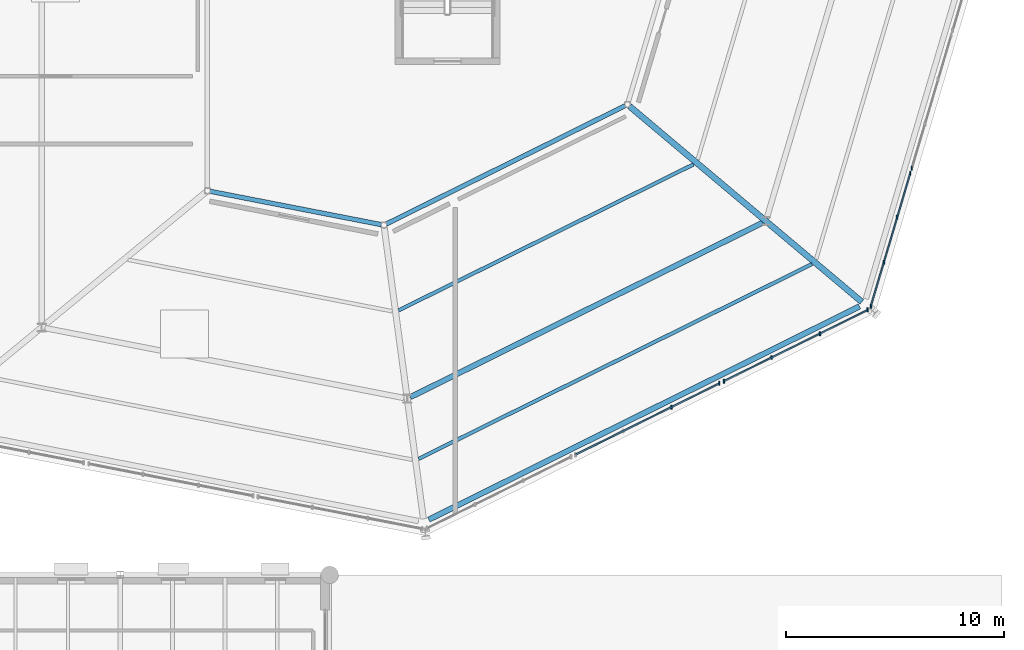
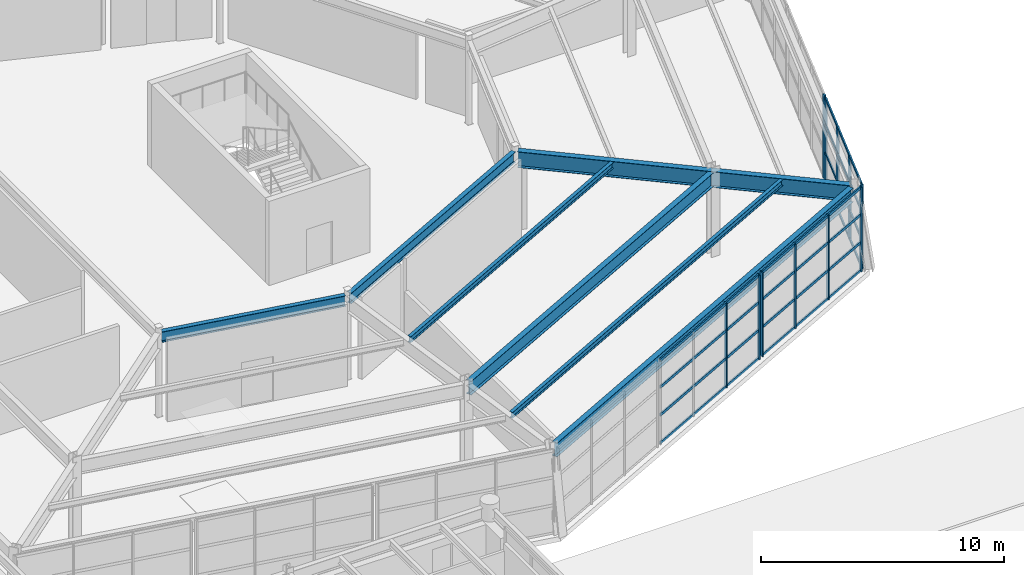
# One storey, part 41 of 77: 23 members, 7 beams, 4 elements without a shape of their own.
"""IFC4 building model written with IfcOpenShell, lengths in metres."""

from ifc_helpers import new_model, si_unit, direction, frame, origin, origin_2d, place, context, subcontext, project, spatial, rectangle, i_section, extrude, material, material_profile, profile_set, type_object, element, aggregate, save


model = new_model("IFC4")

# Units and contexts
model_context = context("Model", 3, precision=1e-05, world=origin(), true_north=direction((0.0, 1.0)))
body_context = subcontext(model_context, "Body", "Model", "MODEL_VIEW")
ifc_project = project(units=[si_unit("LENGTHUNIT", "METRE"), si_unit("AREAUNIT", "SQUARE_METRE"), si_unit("VOLUMEUNIT", "CUBIC_METRE"), si_unit("PLANEANGLEUNIT", "RADIAN"), si_unit("MASSUNIT", "GRAM", prefix="KILO")], contexts=[model_context])

# Site, building, storey
site_placement = place(None, origin())
site = spatial("IfcSite", under=ifc_project, at=site_placement, CompositionType="ELEMENT")
building_placement = place(site_placement, origin())
building = spatial("IfcBuilding", under=site, at=building_placement, Name="Sarnbrook Museum", CompositionType="ELEMENT")
storey_placement = place(building_placement, frame((0.0, 0.0, 5.60009765625)))
storey = spatial("IfcBuildingStorey", under=building, at=storey_placement, Name="L01", CompositionType="ELEMENT", Elevation=5.60009765625)

# Beams
ifc_material_1 = material(Name="Structural Steel Grade 300PLUS (AS/NZS 3679.1, fy = 280 MPa for 17 < t <= 40 mm, 300 MPa for t <= 17 mm)", Category="steel")
ifc_material_profile_1 = material_profile(ifc_material_1, i_section(OverallWidth=0.208984375, OverallDepth=0.532958984375, WebThickness=0.01025390625, FlangeThickness=0.015625, FilletRadius=0.013916015625, at=origin_2d()), Name="530UB92.4")
ifc_profile_set_1 = profile_set([ifc_material_profile_1], Name="Structural Steel Grade 300PLUS (AS/NZS 3679.1, fy = 280 MPa for 17 < t <= 40 mm, 300 MPa for t <= 17 mm)")
beam_type_1 = type_object("IfcBeamType", Name="BM-UB530", PredefinedType="BEAM", material=ifc_profile_set_1)
beam_1_placement = place(storey_placement, frame((132.917724609375, 74.382080078125, 3.973388671875), z_axis=(0.981531426605, -0.191300963369, 0.0), x_axis=(0.191300963369, 0.981531426605, 0.0)))
element("IfcBeam", 1, at=beam_1_placement, inside=storey, type_object=beam_type_1, Name="Crystal Hall R2 Ring Girder 1 L01", PredefinedType="BEAM", context=body_context, shape_type="SweptSolid", body=[
    extrude(i_section(OverallWidth=0.208984375, OverallDepth=0.532958984375, WebThickness=0.01025390625, FlangeThickness=0.015625, FilletRadius=0.013916015625, at=origin_2d()), origin(), (0.0, 0.0, 1.0), 7.999267578125),
])
beam_2_placement = place(storey_placement, frame((140.99462890625, 72.882080078125, 3.973388671875), z_axis=(0.896163006555, 0.443724988796, 0.0), x_axis=(-0.443724988796, 0.896163006555, 0.0)))
element("IfcBeam", 2, at=beam_2_placement, inside=storey, type_object=beam_type_1, Name="Crystal Hall R2 Ring Girder 2 L01", PredefinedType="BEAM", context=body_context, shape_type="SweptSolid", body=[
    extrude(i_section(OverallWidth=0.208984375, OverallDepth=0.532958984375, WebThickness=0.01025390625, FlangeThickness=0.015625, FilletRadius=0.013916015625, at=origin_2d()), origin(), (0.0, 0.0, 1.0), 12.216796875),
])
ifc_material_2 = material(Name="Structural Steel Grade 350L0 (AS/NZS 3678, fy = 340 MPa for 20 < t <= 40 mm)", Category="steel")
ifc_material_profile_2 = material_profile(ifc_material_2, i_section(OverallWidth=0.25, OverallDepth=0.699951171875, WebThickness=0.010009765625, FlangeThickness=0.01611328125, at=origin_2d()), Name="700WB130")
ifc_profile_set_2 = profile_set([ifc_material_profile_2], Name="Structural Steel Grade 350L0 (AS/NZS 3678, fy = 340 MPa for 20 < t <= 40 mm)")
beam_type_2 = type_object("IfcBeamType", Name="BM-WB700", PredefinedType="BEAM", material=ifc_profile_set_2)
beam_3_placement = place(storey_placement, frame((142.940673828125, 59.330810546875, 3.889892578125), z_axis=(0.896160452112, 0.443730147803, 0.0), x_axis=(-0.443730147803, 0.896160452112, 0.0)))
element("IfcBeam", 3, at=beam_3_placement, inside=storey, type_object=beam_type_2, Name="Crystal Hall Perimeter Ring Girder 2 L01", PredefinedType="BEAM", context=body_context, shape_type="SweptSolid", body=[
    extrude(i_section(OverallWidth=0.25, OverallDepth=0.699951171875, WebThickness=0.010009765625, FlangeThickness=0.01611328125, at=origin_2d()), origin(), (0.0, 0.0, 1.0), 22.0283203125),
])
beam_4_placement = place(storey_placement, frame((142.099609375, 64.948486328125, 3.889892578125), z_axis=(0.8961652972, 0.443720362497, 0.0), x_axis=(-0.443720362497, 0.8961652972, 0.0)))
element("IfcBeam", 4, at=beam_4_placement, inside=storey, type_object=beam_type_2, Name="Crystal Hall R1 Ring Girder 2 L01", PredefinedType="BEAM", context=body_context, shape_type="SweptSolid", body=[
    extrude(i_section(OverallWidth=0.25, OverallDepth=0.699951171875, WebThickness=0.010009765625, FlangeThickness=0.01611328125, at=origin_2d()), origin(), (0.0, 0.0, 1.0), 18.021240234375),
])
ifc_material_profile_3 = material_profile(ifc_material_2, i_section(OverallWidth=0.27490234375, OverallDepth=0.800048828125, WebThickness=0.010009765625, FlangeThickness=0.01611328125, at=origin_2d()), Name="800WB146")
ifc_profile_set_3 = profile_set([ifc_material_profile_3], Name="Structural Steel Grade 350L0 (AS/NZS 3678, fy = 340 MPa for 20 < t <= 40 mm)")
beam_type_3 = type_object("IfcBeamType", Name="CR-CANT", PredefinedType="BEAM", material=ifc_profile_set_3)
beam_5_placement = place(storey_placement, frame((152.14208984375, 78.27880859375, 3.83984375), z_axis=(0.764971227526, -0.644064454117, 0.0), x_axis=(0.644064454117, 0.764971227526, 0.0)))
element("IfcBeam", 5, at=beam_5_placement, inside=storey, type_object=beam_type_3, Name="Crystal Hall Radial Cantilever Girder 3 L01", PredefinedType="BEAM", context=body_context, shape_type="SweptSolid", body=[
    extrude(i_section(OverallWidth=0.27490234375, OverallDepth=0.800048828125, WebThickness=0.010009765625, FlangeThickness=0.01611328125, at=origin_2d()), origin(), (0.0, 0.0, 1.0), 13.920654296875),
])

# Curtain wall, members
ifc_material_3 = material(Name="Thermally Broken Anodised Aluminium 6063-T6", Category="aluminium")
curtain_wall_type = type_object("IfcCurtainWallType", Name="CurtainWall_CrystalFacet", PredefinedType="NOTDEFINED", material=ifc_material_3)
curtain_wall_1_placement = place(storey_placement, origin())
curtain_wall_1 = element("IfcCurtainWall", 6, at=curtain_wall_1_placement, inside=storey, type_object=curtain_wall_type, Name="Crystal Hall Facet Curtain Wall L01-F2.2", PredefinedType="NOTDEFINED")
ifc_material_profile_4 = material_profile(ifc_material_3, rectangle(XDim=0.06494140625, YDim=0.179931640625, at=origin_2d()), Name="ALU MULLION 65x180")
ifc_profile_set_4 = profile_set([ifc_material_profile_4], Name="Thermally Broken Anodised Aluminium 6063-T6")
member_type_1 = type_object("IfcMemberType", Name="CW_Mullion_180x75", PredefinedType="MULLION", material=ifc_profile_set_4)
member_1_placement = place(storey_placement, frame((154.07373046875, 64.49365234375, 0.0), z_axis=(0.0, 0.0, 1.0), x_axis=(1.0, 0.0, 0.0)))
member_1 = element("IfcMember", 7, at=member_1_placement, type_object=member_type_1, Name="Crystal Hall Facet Curtain Wall L01-F2.2 Mullion 3", PredefinedType="MULLION", context=body_context, shape_type="SweptSolid", body=[
    extrude(rectangle(XDim=0.06494140625, YDim=0.179931640625, at=origin_2d()), origin(), (0.0, 0.0, 1.0), 4.239990234375),
])
member_2_placement = place(storey_placement, frame((156.25732421875, 65.57470703125, 0.0), z_axis=(0.0, 0.0, 1.0), x_axis=(1.0, 0.0, 0.0)))
member_2 = element("IfcMember", 8, at=member_2_placement, type_object=member_type_1, Name="Crystal Hall Facet Curtain Wall L01-F2.2 Mullion 4", PredefinedType="MULLION", context=body_context, shape_type="SweptSolid", body=[
    extrude(rectangle(XDim=0.06494140625, YDim=0.179931640625, at=origin_2d()), origin(), (0.0, 0.0, 1.0), 4.239990234375),
])

curtain_wall_2_placement = place(storey_placement, origin())
curtain_wall_2 = element("IfcCurtainWall", 9, at=curtain_wall_2_placement, inside=storey, type_object=curtain_wall_type, Name="Crystal Hall Facet Curtain Wall L01-F2.3", PredefinedType="NOTDEFINED")
member_3_placement = place(storey_placement, frame((156.472412109375, 65.681396484375, 0.0), z_axis=(0.0, 0.0, 1.0), x_axis=(1.0, 0.0, 0.0)))
member_3 = element("IfcMember", 10, at=member_3_placement, type_object=member_type_1, Name="Crystal Hall Facet Curtain Wall L01-F2.3 Mullion 1", PredefinedType="MULLION", context=body_context, shape_type="SweptSolid", body=[
    extrude(rectangle(XDim=0.06494140625, YDim=0.179931640625, at=origin_2d()), origin(), (0.0, 0.0, 1.0), 4.239990234375),
])
member_4_placement = place(storey_placement, frame((158.65625, 66.7626953125, 0.0), z_axis=(0.0, 0.0, 1.0), x_axis=(1.0, 0.0, 0.0)))
member_4 = element("IfcMember", 11, at=member_4_placement, type_object=member_type_1, Name="Crystal Hall Facet Curtain Wall L01-F2.3 Mullion 2", PredefinedType="MULLION", context=body_context, shape_type="SweptSolid", body=[
    extrude(rectangle(XDim=0.06494140625, YDim=0.179931640625, at=origin_2d()), origin(), (0.0, 0.0, 1.0), 4.239990234375),
])
member_5_placement = place(storey_placement, frame((160.875732421875, 67.861572265625, 0.0), z_axis=(0.0, 0.0, 1.0), x_axis=(1.0, 0.0, 0.0)))
member_5 = element("IfcMember", 12, at=member_5_placement, type_object=member_type_1, Name="Crystal Hall Facet Curtain Wall L01-F2.3 Mullion 3", PredefinedType="MULLION", context=body_context, shape_type="SweptSolid", body=[
    extrude(rectangle(XDim=0.06494140625, YDim=0.179931640625, at=origin_2d()), origin(), (0.0, 0.0, 1.0), 4.239990234375),
])
member_6_placement = place(storey_placement, frame((163.0595703125, 68.94287109375, 0.0), z_axis=(0.0, 0.0, 1.0), x_axis=(1.0, 0.0, 0.0)))
member_6 = element("IfcMember", 13, at=member_6_placement, type_object=member_type_1, Name="Crystal Hall Facet Curtain Wall L01-F2.3 Mullion 4", PredefinedType="MULLION", context=body_context, shape_type="SweptSolid", body=[
    extrude(rectangle(XDim=0.06494140625, YDim=0.179931640625, at=origin_2d()), origin(), (0.0, 0.0, 1.0), 4.239990234375),
])

curtain_wall_3_placement = place(storey_placement, origin())
curtain_wall_3 = element("IfcCurtainWall", 14, at=curtain_wall_3_placement, inside=storey, type_object=curtain_wall_type, Name="Crystal Hall Facet Curtain Wall L01-F3.1", PredefinedType="NOTDEFINED")
member_7_placement = place(storey_placement, frame((163.201416015625, 69.111083984375, 0.0), z_axis=(0.0, 0.0, 1.0), x_axis=(1.0, 0.0, 0.0)))
member_7 = element("IfcMember", 15, at=member_7_placement, type_object=member_type_1, Name="Crystal Hall Facet Curtain Wall L01-F3.1 Mullion 1", PredefinedType="MULLION", context=body_context, shape_type="SweptSolid", body=[
    extrude(rectangle(XDim=0.06494140625, YDim=0.179931640625, at=origin_2d()), origin(), (0.0, 0.0, 1.0), 4.239990234375),
])
member_8_placement = place(storey_placement, frame((163.80029296875, 71.129150390625, 0.0), z_axis=(0.0, 0.0, 1.0), x_axis=(1.0, 0.0, 0.0)))
member_8 = element("IfcMember", 16, at=member_8_placement, type_object=member_type_1, Name="Crystal Hall Facet Curtain Wall L01-F3.1 Mullion 2", PredefinedType="MULLION", context=body_context, shape_type="SweptSolid", body=[
    extrude(rectangle(XDim=0.06494140625, YDim=0.179931640625, at=origin_2d()), origin(), (0.0, 0.0, 1.0), 4.239990234375),
])
member_9_placement = place(storey_placement, frame((164.410888671875, 73.185546875, 0.0), z_axis=(0.0, 0.0, 1.0), x_axis=(1.0, 0.0, 0.0)))
member_9 = element("IfcMember", 17, at=member_9_placement, type_object=member_type_1, Name="Crystal Hall Facet Curtain Wall L01-F3.1 Mullion 3", PredefinedType="MULLION", context=body_context, shape_type="SweptSolid", body=[
    extrude(rectangle(XDim=0.06494140625, YDim=0.179931640625, at=origin_2d()), origin(), (0.0, 0.0, 1.0), 4.239990234375),
])
member_10_placement = place(storey_placement, frame((165.010009765625, 75.20361328125, 0.0), z_axis=(0.0, 0.0, 1.0), x_axis=(1.0, 0.0, 0.0)))
member_10 = element("IfcMember", 18, at=member_10_placement, type_object=member_type_1, Name="Crystal Hall Facet Curtain Wall L01-F3.1 Mullion 4", PredefinedType="MULLION", context=body_context, shape_type="SweptSolid", body=[
    extrude(rectangle(XDim=0.06494140625, YDim=0.179931640625, at=origin_2d()), origin(), (0.0, 0.0, 1.0), 4.239990234375),
])

# Curtain wall, member
curtain_wall_4_placement = place(storey_placement, origin())
curtain_wall_4 = element("IfcCurtainWall", 19, at=curtain_wall_4_placement, inside=storey, type_object=curtain_wall_type, Name="Crystal Hall Facet Curtain Wall L01-F3.2", PredefinedType="NOTDEFINED")
member_11_placement = place(storey_placement, frame((165.078125, 75.43359375, 0.0), z_axis=(0.0, 0.0, 1.0), x_axis=(1.0, 0.0, 0.0)))
member_11 = element("IfcMember", 20, at=member_11_placement, type_object=member_type_1, Name="Crystal Hall Facet Curtain Wall L01-F3.2 Mullion 1", PredefinedType="MULLION", context=body_context, shape_type="SweptSolid", body=[
    extrude(rectangle(XDim=0.06494140625, YDim=0.179931640625, at=origin_2d()), origin(), (0.0, 0.0, 1.0), 4.239990234375),
])
aggregate(curtain_wall_4, [member_11])

# Member
ifc_material_profile_5 = material_profile(ifc_material_3, rectangle(XDim=0.06494140625, YDim=0.139892578125, at=origin_2d()), Name="ALU TRANSOM 65x140")
ifc_profile_set_5 = profile_set([ifc_material_profile_5], Name="Thermally Broken Anodised Aluminium 6063-T6")
member_type_2 = type_object("IfcMemberType", Name="CW_Transom_150x65", PredefinedType="USERDEFINED", material=ifc_profile_set_5)
member_12_placement = place(storey_placement, frame((149.67919921875, 62.317626953125, 0.039794921875), z_axis=(0.896165552261, 0.44371984736, 0.0), x_axis=(-0.44371984736, 0.896165552261, 0.0)))
member_12 = element("IfcMember", 21, at=member_12_placement, type_object=member_type_2, Name="Crystal Hall Facet Curtain Wall L01-F2.2 Transom 1", ObjectType="TRANSOM", PredefinedType="USERDEFINED", context=body_context, shape_type="SweptSolid", body=[
    extrude(rectangle(XDim=0.06494140625, YDim=0.139892578125, at=origin_2d()), origin(), (0.0, 0.0, 1.0), 7.33056640625),
])

member_13_placement = place(storey_placement, frame((149.67919921875, 62.317626953125, 1.449951171875), z_axis=(0.896165552261, 0.44371984736, 0.0), x_axis=(-0.44371984736, 0.896165552261, 0.0)))
member_13 = element("IfcMember", 22, at=member_13_placement, type_object=member_type_2, Name="Crystal Hall Facet Curtain Wall L01-F2.2 Transom 2", ObjectType="TRANSOM", PredefinedType="USERDEFINED", context=body_context, shape_type="SweptSolid", body=[
    extrude(rectangle(XDim=0.06494140625, YDim=0.139892578125, at=origin_2d()), origin(), (0.0, 0.0, 1.0), 7.33056640625),
])

member_14_placement = place(storey_placement, frame((149.67919921875, 62.317626953125, 2.849853515625), z_axis=(0.896165552261, 0.44371984736, 0.0), x_axis=(-0.44371984736, 0.896165552261, 0.0)))
member_14 = element("IfcMember", 23, at=member_14_placement, type_object=member_type_2, Name="Crystal Hall Facet Curtain Wall L01-F2.2 Transom 3", ObjectType="TRANSOM", PredefinedType="USERDEFINED", context=body_context, shape_type="SweptSolid", body=[
    extrude(rectangle(XDim=0.06494140625, YDim=0.139892578125, at=origin_2d()), origin(), (0.0, 0.0, 1.0), 7.33056640625),
])

member_15_placement = place(storey_placement, frame((149.67919921875, 62.317626953125, 4.199951171875), z_axis=(0.896165552261, 0.44371984736, 0.0), x_axis=(-0.44371984736, 0.896165552261, 0.0)))
member_15 = element("IfcMember", 24, at=member_15_placement, type_object=member_type_2, Name="Crystal Hall Facet Curtain Wall L01-F2.2 Transom 4", ObjectType="TRANSOM", PredefinedType="USERDEFINED", context=body_context, shape_type="SweptSolid", body=[
    extrude(rectangle(XDim=0.06494140625, YDim=0.139892578125, at=origin_2d()), origin(), (0.0, 0.0, 1.0), 7.33056640625),
])

aggregate(curtain_wall_1, [member_1, member_2, member_12, member_13, member_14, member_15])

member_16_placement = place(storey_placement, frame((156.4814453125, 65.685791015625, 0.039794921875), z_axis=(0.896158994675, 0.443733091242, 0.0), x_axis=(-0.443733091242, 0.896158994675, 0.0)))
member_16 = element("IfcMember", 25, at=member_16_placement, type_object=member_type_2, Name="Crystal Hall Facet Curtain Wall L01-F2.3 Transom 1", ObjectType="TRANSOM", PredefinedType="USERDEFINED", context=body_context, shape_type="SweptSolid", body=[
    extrude(rectangle(XDim=0.06494140625, YDim=0.139892578125, at=origin_2d()), origin(), (0.0, 0.0, 1.0), 7.330322265625),
])

member_17_placement = place(storey_placement, frame((156.4814453125, 65.685791015625, 1.449951171875), z_axis=(0.896158994675, 0.443733091242, 0.0), x_axis=(-0.443733091242, 0.896158994675, 0.0)))
member_17 = element("IfcMember", 26, at=member_17_placement, type_object=member_type_2, Name="Crystal Hall Facet Curtain Wall L01-F2.3 Transom 2", ObjectType="TRANSOM", PredefinedType="USERDEFINED", context=body_context, shape_type="SweptSolid", body=[
    extrude(rectangle(XDim=0.06494140625, YDim=0.139892578125, at=origin_2d()), origin(), (0.0, 0.0, 1.0), 7.330322265625),
])

member_18_placement = place(storey_placement, frame((156.4814453125, 65.685791015625, 2.849853515625), z_axis=(0.896158994675, 0.443733091242, 0.0), x_axis=(-0.443733091242, 0.896158994675, 0.0)))
member_18 = element("IfcMember", 27, at=member_18_placement, type_object=member_type_2, Name="Crystal Hall Facet Curtain Wall L01-F2.3 Transom 3", ObjectType="TRANSOM", PredefinedType="USERDEFINED", context=body_context, shape_type="SweptSolid", body=[
    extrude(rectangle(XDim=0.06494140625, YDim=0.139892578125, at=origin_2d()), origin(), (0.0, 0.0, 1.0), 7.330322265625),
])

member_19_placement = place(storey_placement, frame((156.4814453125, 65.685791015625, 4.199951171875), z_axis=(0.896158994675, 0.443733091242, 0.0), x_axis=(-0.443733091242, 0.896158994675, 0.0)))
member_19 = element("IfcMember", 28, at=member_19_placement, type_object=member_type_2, Name="Crystal Hall Facet Curtain Wall L01-F2.3 Transom 4", ObjectType="TRANSOM", PredefinedType="USERDEFINED", context=body_context, shape_type="SweptSolid", body=[
    extrude(rectangle(XDim=0.06494140625, YDim=0.139892578125, at=origin_2d()), origin(), (0.0, 0.0, 1.0), 7.330322265625),
])

aggregate(curtain_wall_2, [member_3, member_4, member_5, member_6, member_16, member_17, member_18, member_19])

member_20_placement = place(storey_placement, frame((163.2041015625, 69.12060546875, 0.039794921875), z_axis=(0.284596074945, 0.958647523403, 0.0), x_axis=(-0.958647523403, 0.284596074945, 0.0)))
member_20 = element("IfcMember", 29, at=member_20_placement, type_object=member_type_2, Name="Crystal Hall Facet Curtain Wall L01-F3.1 Transom 1", ObjectType="TRANSOM", PredefinedType="USERDEFINED", context=body_context, shape_type="SweptSolid", body=[
    extrude(rectangle(XDim=0.06494140625, YDim=0.139892578125, at=origin_2d()), origin(), (0.0, 0.0, 1.0), 6.335205078125),
])

member_21_placement = place(storey_placement, frame((163.2041015625, 69.12060546875, 1.449951171875), z_axis=(0.284596074945, 0.958647523403, 0.0), x_axis=(-0.958647523403, 0.284596074945, 0.0)))
member_21 = element("IfcMember", 30, at=member_21_placement, type_object=member_type_2, Name="Crystal Hall Facet Curtain Wall L01-F3.1 Transom 2", ObjectType="TRANSOM", PredefinedType="USERDEFINED", context=body_context, shape_type="SweptSolid", body=[
    extrude(rectangle(XDim=0.06494140625, YDim=0.139892578125, at=origin_2d()), origin(), (0.0, 0.0, 1.0), 6.335205078125),
])

member_22_placement = place(storey_placement, frame((163.2041015625, 69.12060546875, 2.849853515625), z_axis=(0.284596074945, 0.958647523403, 0.0), x_axis=(-0.958647523403, 0.284596074945, 0.0)))
member_22 = element("IfcMember", 31, at=member_22_placement, type_object=member_type_2, Name="Crystal Hall Facet Curtain Wall L01-F3.1 Transom 3", ObjectType="TRANSOM", PredefinedType="USERDEFINED", context=body_context, shape_type="SweptSolid", body=[
    extrude(rectangle(XDim=0.06494140625, YDim=0.139892578125, at=origin_2d()), origin(), (0.0, 0.0, 1.0), 6.335205078125),
])

member_23_placement = place(storey_placement, frame((163.2041015625, 69.12060546875, 4.199951171875), z_axis=(0.284596074945, 0.958647523403, 0.0), x_axis=(-0.958647523403, 0.284596074945, 0.0)))
member_23 = element("IfcMember", 32, at=member_23_placement, type_object=member_type_2, Name="Crystal Hall Facet Curtain Wall L01-F3.1 Transom 4", ObjectType="TRANSOM", PredefinedType="USERDEFINED", context=body_context, shape_type="SweptSolid", body=[
    extrude(rectangle(XDim=0.06494140625, YDim=0.139892578125, at=origin_2d()), origin(), (0.0, 0.0, 1.0), 6.335205078125),
])

aggregate(curtain_wall_3, [member_7, member_8, member_9, member_10, member_20, member_21, member_22, member_23])

# Beams
ifc_material_profile_6 = material_profile(ifc_material_1, i_section(OverallWidth=0.1650390625, OverallDepth=0.303955078125, WebThickness=0.006103515625, FlangeThickness=0.01025390625, FilletRadius=0.011474609375, at=origin_2d()), Name="310UB40.4")
ifc_profile_set_6 = profile_set([ifc_material_profile_6], Name="Structural Steel Grade 300PLUS (AS/NZS 3679.1, fy = 280 MPa for 17 < t <= 40 mm, 300 MPa for t <= 17 mm)")
beam_type_4 = type_object("IfcBeamType", Name="JS-UB310", PredefinedType="JOIST", material=ifc_profile_set_6)
beam_6_placement = place(storey_placement, frame((142.479736328125, 62.11962890625, 4.087890625), z_axis=(0.896160912559, 0.443729217881, 0.0), x_axis=(-0.443729217881, 0.896160912559, 0.0)))
element("IfcBeam", 33, at=beam_6_placement, inside=storey, type_object=beam_type_4, Name="Crystal Hall Tangential Joist MO-2 L01", PredefinedType="JOIST", context=body_context, shape_type="SweptSolid", body=[
    extrude(i_section(OverallWidth=0.1650390625, OverallDepth=0.303955078125, WebThickness=0.006103515625, FlangeThickness=0.01025390625, FilletRadius=0.011474609375, at=origin_2d()), origin(), (0.0, 0.0, 1.0), 20.11474609375),
])
beam_7_placement = place(storey_placement, frame((141.56494140625, 68.924072265625, 4.087890625), z_axis=(0.89616253794, 0.443725935227, 0.0), x_axis=(-0.443725935227, 0.89616253794, 0.0)))
element("IfcBeam", 34, at=beam_7_placement, inside=storey, type_object=beam_type_4, Name="Crystal Hall Tangential Joist MI-2 L01", PredefinedType="JOIST", context=body_context, shape_type="SweptSolid", body=[
    extrude(i_section(OverallWidth=0.1650390625, OverallDepth=0.303955078125, WebThickness=0.006103515625, FlangeThickness=0.01025390625, FilletRadius=0.011474609375, at=origin_2d()), origin(), (0.0, 0.0, 1.0), 15.078857421875),
])

save(model, "model.ifc")
